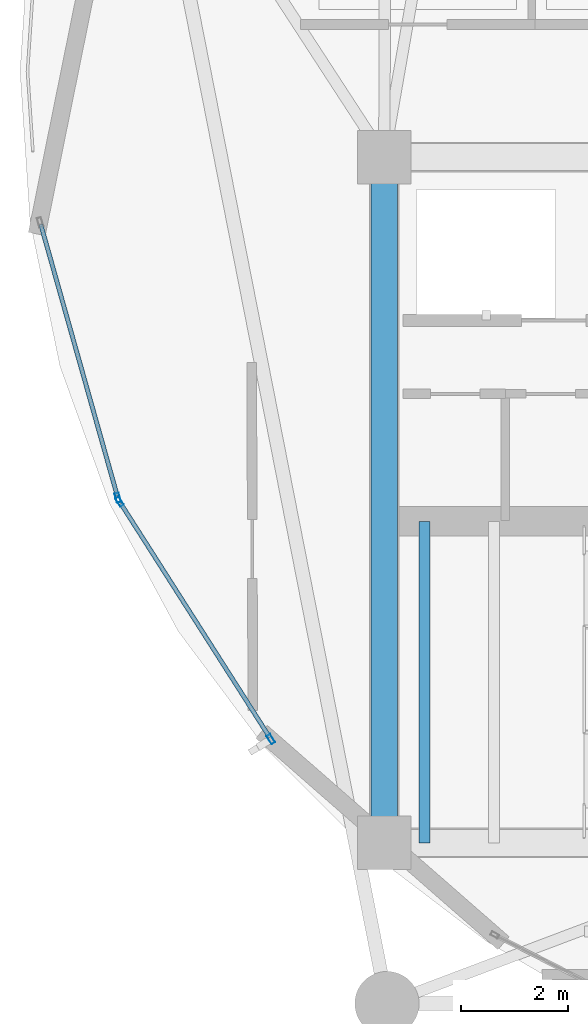
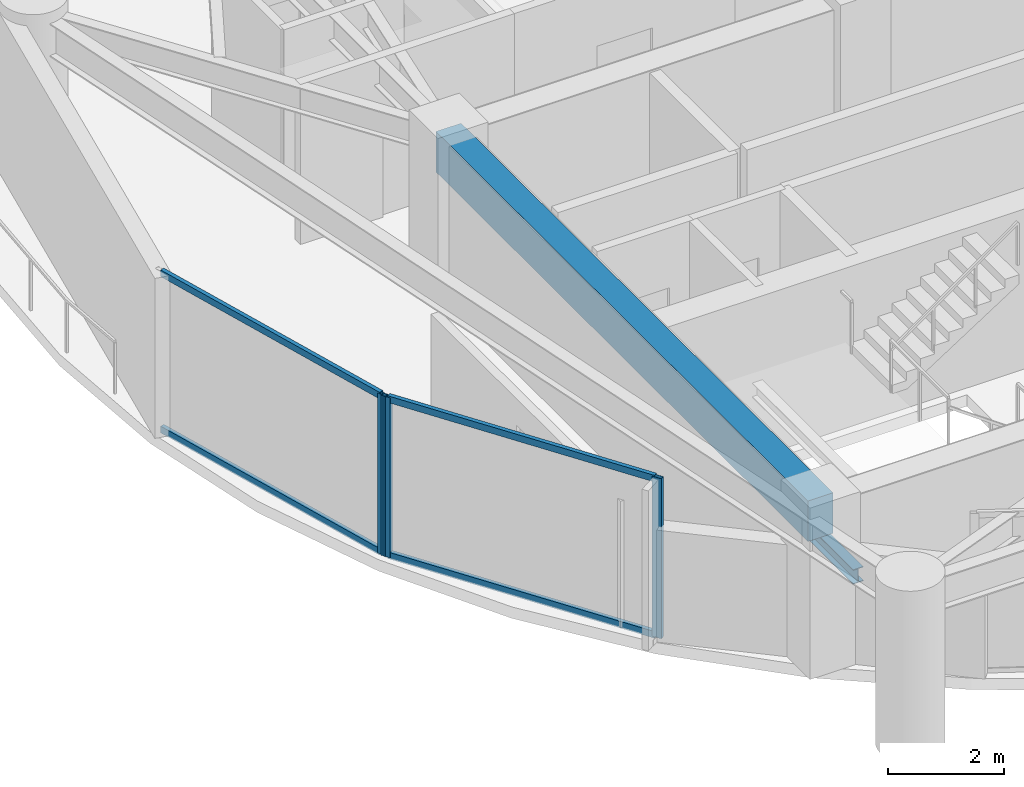
# One storey, part 3 of 28: 7 members, 2 beams, 2 elements without a shape of their own.
"""IFC4 building model written with IfcOpenShell, lengths in metres."""

from ifc_helpers import new_model, si_unit, direction, frame, origin, origin_2d, place, context, subcontext, project, spatial, rectangle, hollow_rectangle, i_section, extrude, material, layer, layer_set, material_profile, profile_set, type_object, element, aggregate, save


model = new_model("IFC4")

# Units and contexts
model_context = context("Model", 3, precision=1e-05, world=origin(), true_north=direction((0.0, 1.0)))
body_context = subcontext(model_context, "Body", "Model", "MODEL_VIEW")
ifc_project = project(units=[si_unit("LENGTHUNIT", "METRE"), si_unit("AREAUNIT", "SQUARE_METRE"), si_unit("VOLUMEUNIT", "CUBIC_METRE"), si_unit("PLANEANGLEUNIT", "RADIAN"), si_unit("MASSUNIT", "GRAM", prefix="KILO")], contexts=[model_context])

# Site, building, storey
site_placement = place(None, origin())
site = spatial("IfcSite", under=ifc_project, at=site_placement, CompositionType="ELEMENT")
building_placement = place(site_placement, origin())
building = spatial("IfcBuilding", under=site, at=building_placement, Name="Kazevale Care Tower and Concert Hall", CompositionType="ELEMENT")
storey_placement = place(building_placement, frame((0.0, 0.0, 102.60009765625)))
storey = spatial("IfcBuildingStorey", under=building, at=storey_placement, Name="L26", CompositionType="ELEMENT", Elevation=102.60009765625)

# Curtain wall, members
ifc_material_1 = material(Name="Aluminium 6063-T6 and Low-E Glass", Category="aluminium")
ifc_layer = layer(ifc_material_1, 0.179931640625)
ifc_layer_set = layer_set([ifc_layer], Name="Aluminium 6063-T6 and Low-E Glass")
curtain_wall_type = type_object("IfcCurtainWallType", Name="Waist & Upper Residential Curtain Wall CW-4", PredefinedType="NOTDEFINED", material=ifc_layer_set)
curtain_wall_1_placement = place(storey_placement, origin())
curtain_wall_1 = element("IfcCurtainWall", 1, at=curtain_wall_1_placement, inside=storey, type_object=curtain_wall_type, Name="cw:L26:f11", PredefinedType="NOTDEFINED")
ifc_material_2 = material(Name="Aluminium 6063-T6", Category="aluminium")
ifc_material_profile_1 = material_profile(ifc_material_2, hollow_rectangle(XDim=0.080078125, YDim=0.179931640625, WallThickness=0.0048828125, at=origin_2d()), Name="ALU80x180x5")
ifc_profile_set_1 = profile_set([ifc_material_profile_1], Name="Aluminium 6063-T6")
member_type_1 = type_object("IfcMemberType", Name="CW-4 Mullion ALU80x180x5", PredefinedType="MULLION", material=ifc_profile_set_1)
member_1_placement = place(storey_placement, frame((19.882568359375, 25.53564453125, 0.0), z_axis=(0.0, 0.0, 1.0), x_axis=(-0.843429930967, -0.537239193981, 0.0)))
member_1 = element("IfcMember", 2, at=member_1_placement, type_object=member_type_1, Name="CW-4 mullion 1", PredefinedType="MULLION", context=body_context, shape_type="SweptSolid", body=[
    extrude(hollow_rectangle(XDim=0.080078125, YDim=0.179931640625, WallThickness=0.0048828125, at=origin_2d()), origin(), (0.0, 0.0, 1.0), 3.35986328125),
])
member_2_placement = place(storey_placement, frame((17.05859375, 29.96923828125, 0.0), z_axis=(0.0, 0.0, 1.0), x_axis=(-0.843429930967, -0.537239193981, 0.0)))
member_2 = element("IfcMember", 3, at=member_2_placement, type_object=member_type_1, Name="CW-4 mullion 2", PredefinedType="MULLION", context=body_context, shape_type="SweptSolid", body=[
    extrude(hollow_rectangle(XDim=0.080078125, YDim=0.179931640625, WallThickness=0.0048828125, at=origin_2d()), origin(), (0.0, 0.0, 1.0), 3.35986328125),
])

# Curtain wall, member
curtain_wall_2_placement = place(storey_placement, origin())
curtain_wall_2 = element("IfcCurtainWall", 4, at=curtain_wall_2_placement, inside=storey, type_object=curtain_wall_type, Name="cw:L26:f12", PredefinedType="NOTDEFINED")
member_3_placement = place(storey_placement, frame((17.026123046875, 30.04150390625, 0.0), z_axis=(0.0, 0.0, 1.0), x_axis=(-0.962499078876, -0.271284948278, 0.0)))
member_3 = element("IfcMember", 5, at=member_3_placement, type_object=member_type_1, Name="CW-4 mullion 1", PredefinedType="MULLION", context=body_context, shape_type="SweptSolid", body=[
    extrude(hollow_rectangle(XDim=0.080078125, YDim=0.179931640625, WallThickness=0.0048828125, at=origin_2d()), origin(), (0.0, 0.0, 1.0), 3.35986328125),
])

# Member
ifc_material_profile_2 = material_profile(ifc_material_2, hollow_rectangle(XDim=0.080078125, YDim=0.139892578125, WallThickness=0.00390625, at=origin_2d()), Name="ALU80x140x4")
ifc_profile_set_2 = profile_set([ifc_material_profile_2], Name="Aluminium 6063-T6")
member_type_2 = type_object("IfcMemberType", Name="CW-4 Transom ALU80x140x4", PredefinedType="USERDEFINED", material=ifc_profile_set_2)
member_4_placement = place(storey_placement, frame((19.861083984375, 25.569580078125, 0.039794921875), z_axis=(-0.537241653837, 0.843428364109, 0.0), x_axis=(-0.843428364109, -0.537241653837, 0.0)))
member_4 = element("IfcMember", 6, at=member_4_placement, type_object=member_type_2, Name="CW-4 transom 1.1", ObjectType="TRANSOM", PredefinedType="USERDEFINED", context=body_context, shape_type="SweptSolid", body=[
    extrude(hollow_rectangle(XDim=0.080078125, YDim=0.139892578125, WallThickness=0.00390625, at=origin_2d()), origin(), (0.0, 0.0, 1.0), 5.176513671875),
])

member_5_placement = place(storey_placement, frame((19.861083984375, 25.569580078125, 3.31982421875), z_axis=(-0.537241653837, 0.843428364109, 0.0), x_axis=(-0.843428364109, -0.537241653837, 0.0)))
member_5 = element("IfcMember", 7, at=member_5_placement, type_object=member_type_2, Name="CW-4 transom 1.2", ObjectType="TRANSOM", PredefinedType="USERDEFINED", context=body_context, shape_type="SweptSolid", body=[
    extrude(hollow_rectangle(XDim=0.080078125, YDim=0.139892578125, WallThickness=0.00390625, at=origin_2d()), origin(), (0.0, 0.0, 1.0), 5.176513671875),
])

aggregate(curtain_wall_1, [member_1, member_2, member_4, member_5])

member_6_placement = place(storey_placement, frame((17.015380859375, 30.080078125, 0.039794921875), z_axis=(-0.271312503244, 0.962491311952, 0.0), x_axis=(-0.962491311952, -0.271312503244, 0.0)))
member_6 = element("IfcMember", 8, at=member_6_placement, type_object=member_type_2, Name="CW-4 transom 1.1", ObjectType="TRANSOM", PredefinedType="USERDEFINED", context=body_context, shape_type="SweptSolid", body=[
    extrude(hollow_rectangle(XDim=0.080078125, YDim=0.139892578125, WallThickness=0.00390625, at=origin_2d()), origin(), (0.0, 0.0, 1.0), 5.26220703125),
])

member_7_placement = place(storey_placement, frame((17.015380859375, 30.080078125, 3.31982421875), z_axis=(-0.271312503244, 0.962491311952, 0.0), x_axis=(-0.962491311952, -0.271312503244, 0.0)))
member_7 = element("IfcMember", 9, at=member_7_placement, type_object=member_type_2, Name="CW-4 transom 1.2", ObjectType="TRANSOM", PredefinedType="USERDEFINED", context=body_context, shape_type="SweptSolid", body=[
    extrude(hollow_rectangle(XDim=0.080078125, YDim=0.139892578125, WallThickness=0.00390625, at=origin_2d()), origin(), (0.0, 0.0, 1.0), 5.26220703125),
])

aggregate(curtain_wall_2, [member_3, member_6, member_7])

# Beams
ifc_material_3 = material(Name="Concrete C60", Category="concrete")
ifc_material_profile_3 = material_profile(ifc_material_3, rectangle(XDim=0.5, YDim=0.85009765625, at=origin_2d()), Name="RC-B500x850")
ifc_profile_set_3 = profile_set([ifc_material_profile_3], Name="Concrete C60")
beam_type_1 = type_object("IfcBeamType", Name="Core Coupling Beam RC500x850", PredefinedType="LINTEL", material=ifc_profile_set_3)
beam_1_placement = place(storey_placement, frame((22.0, 36.39990234375, 2.934814453125), z_axis=(0.0, -1.0, 0.0), x_axis=(1.0, 0.0, 0.0)))
element("IfcBeam", 10, at=beam_1_placement, inside=storey, type_object=beam_type_1, Name="beam:L26:coretie:8", PredefinedType="LINTEL", context=body_context, shape_type="SweptSolid", body=[
    extrude(rectangle(XDim=0.5, YDim=0.85009765625, at=origin_2d()), origin(), (0.0, 0.0, 1.0), 12.7998046875),
])
ifc_material_4 = material(Name="Steel ASTM A572 Gr 50", Category="steel")
ifc_material_profile_4 = material_profile(ifc_material_4, i_section(OverallWidth=0.202880859375, OverallDepth=0.302978515625, WebThickness=0.007568359375, FlangeThickness=0.01318359375, at=origin_2d()), Name="W310x60")
ifc_profile_set_4 = profile_set([ifc_material_profile_4], Name="Steel ASTM A572 Gr 50")
beam_type_2 = type_object("IfcBeamType", Name="Stair & Balcony Trimmer W310x60", PredefinedType="BEAM", material=ifc_profile_set_4)
beam_2_placement = place(storey_placement, frame((22.75, 23.60009765625, 1.448486328125), z_axis=(0.0, 1.0, 0.0), x_axis=(-1.0, 0.0, 0.0)))
element("IfcBeam", 11, at=beam_2_placement, inside=storey, type_object=beam_type_2, Name="beam:L26:sttrim:ST1", PredefinedType="BEAM", context=body_context, shape_type="SweptSolid", body=[
    extrude(i_section(OverallWidth=0.202880859375, OverallDepth=0.302978515625, WebThickness=0.007568359375, FlangeThickness=0.01318359375, at=origin_2d()), origin(), (0.0, 0.0, 1.0), 6.0),
])

save(model, "model.ifc")
